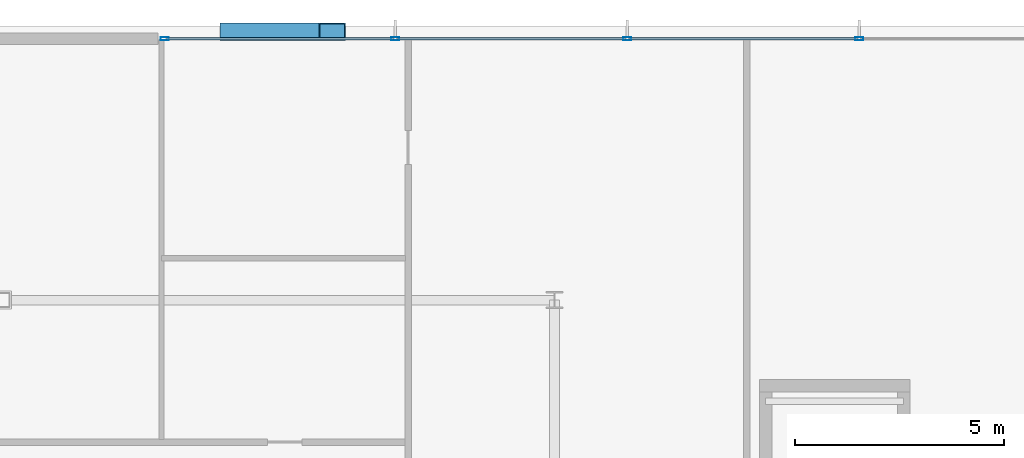
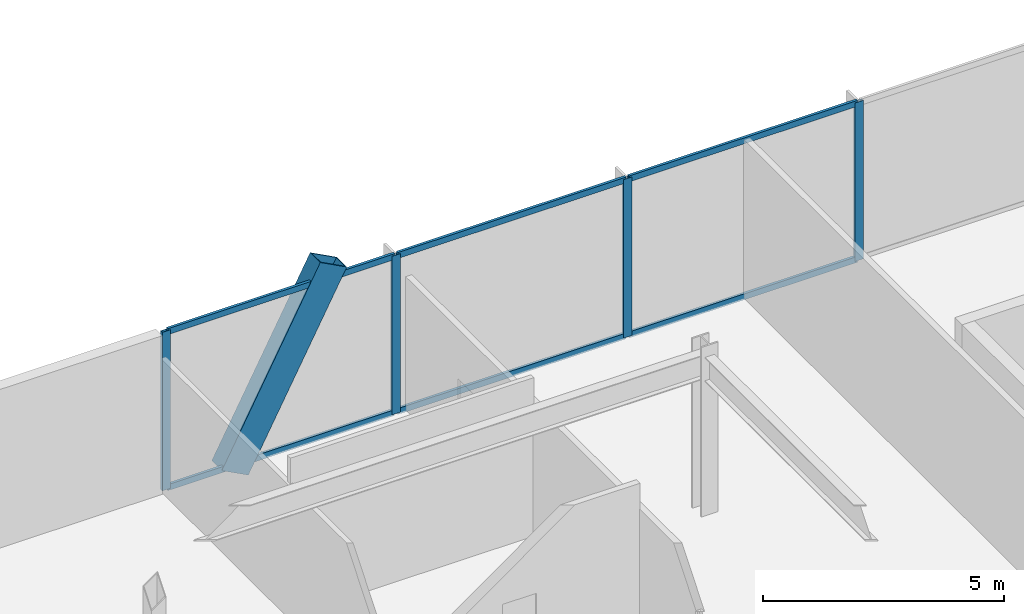
# One storey, part 30 of 42: 11 members, 1 element without a shape of its own.
"""IFC4 building model written with IfcOpenShell, lengths in metres."""

from ifc_helpers import new_model, si_unit, direction, frame, origin, origin_2d, place, context, subcontext, project, spatial, hollow_rectangle, extrude, material, layer, layer_set, material_profile, profile_set, type_object, element, aggregate, save


model = new_model("IFC4")

# Units and contexts
model_context = context("Model", 3, precision=1e-05, world=origin(), true_north=direction((0.0, 1.0)))
body_context = subcontext(model_context, "Body", "Model", "MODEL_VIEW")
ifc_project = project(units=[si_unit("LENGTHUNIT", "METRE"), si_unit("AREAUNIT", "SQUARE_METRE"), si_unit("VOLUMEUNIT", "CUBIC_METRE"), si_unit("PLANEANGLEUNIT", "RADIAN"), si_unit("MASSUNIT", "GRAM", prefix="KILO")], contexts=[model_context])

# Site, building, storey
site_placement = place(None, origin())
site = spatial("IfcSite", under=ifc_project, at=site_placement, CompositionType="ELEMENT")
building_placement = place(site_placement, origin())
building = spatial("IfcBuilding", under=site, at=building_placement, Name="Orvanel Arch Residences", CompositionType="ELEMENT")
storey_placement = place(building_placement, frame((0.0, 0.0, 9.800048828125)))
storey = spatial("IfcBuildingStorey", under=building, at=storey_placement, Name="L02", CompositionType="ELEMENT", Elevation=9.800048828125)

# Member
ifc_material_1 = material(Name="Structural steel AS/NZS 3678 Grade 350", Category="steel")
ifc_material_profile_1 = material_profile(ifc_material_1, hollow_rectangle(XDim=0.419921875, YDim=0.719970703125, WallThickness=0.02490234375, at=origin_2d()), Name="RHS720x420x25")
ifc_profile_set_1 = profile_set([ifc_material_profile_1], Name="Structural steel AS/NZS 3678 Grade 350")
member_type_1 = type_object("IfcMemberType", Name="BR-720RHS-EXT", PredefinedType="BRACE", material=ifc_profile_set_1)
member_1_placement = place(storey_placement, frame((38.52001953125, 54.419921875, -0.150146484375), z_axis=(0.468677991145, 0.0, 0.88336908516), x_axis=(0.0, 1.0, 0.0)))
element("IfcMember", 1, at=member_1_placement, inside=storey, type_object=member_type_1, Name="L02 Podium Multi-Storey V-Strut Pair N2 Leg 2", PredefinedType="BRACE", context=body_context, shape_type="SweptSolid", body=[
    extrude(hollow_rectangle(XDim=0.419921875, YDim=0.719970703125, WallThickness=0.02490234375, at=origin_2d()), origin(), (0.0, 0.0, 1.0), 5.037841796875),
])

# Curtain wall, members
ifc_material_2 = material(Name="Bronze-anodised aluminium AA6063-T6", Category="aluminium")
ifc_layer = layer(ifc_material_2, 0.199951171875)
ifc_layer_set = layer_set([ifc_layer], Name="Bronze-anodised aluminium AA6063-T6")
curtain_wall_type = type_object("IfcCurtainWallType", Name="CW1-POD-SYS", PredefinedType="NOTDEFINED", material=ifc_layer_set)
curtain_wall_placement = place(storey_placement, origin())
curtain_wall = element("IfcCurtainWall", 2, at=curtain_wall_placement, inside=storey, type_object=curtain_wall_type, Name="L02 CW1-POD-SYS Unitised Curtain Wall", PredefinedType="NOTDEFINED")
ifc_material_profile_2 = material_profile(ifc_material_2, hollow_rectangle(XDim=0.074951171875, YDim=0.199951171875, WallThickness=0.0048828125, at=origin_2d()), Name="ALU200x75x5")
ifc_profile_set_2 = profile_set([ifc_material_profile_2], Name="Bronze-anodised aluminium AA6063-T6")
member_type_2 = type_object("IfcMemberType", Name="MUL-200x75", PredefinedType="MULLION", material=ifc_profile_set_2)
member_2_placement = place(storey_placement, frame((53.489990234375, 54.25, 0.0), z_axis=(0.0, 0.0, 1.0), x_axis=(0.0, -1.0, 0.0)))
member_2 = element("IfcMember", 3, at=member_2_placement, type_object=member_type_2, Name="CW-S1 mullion 3", PredefinedType="MULLION", context=body_context, shape_type="SweptSolid", body=[
    extrude(hollow_rectangle(XDim=0.074951171875, YDim=0.199951171875, WallThickness=0.0048828125, at=origin_2d()), origin(), (0.0, 0.0, 1.0), 4.02001953125),
])
member_3_placement = place(storey_placement, frame((47.93994140625, 54.25, 0.0), z_axis=(0.0, 0.0, 1.0), x_axis=(0.0, -1.0, 0.0)))
member_3 = element("IfcMember", 4, at=member_3_placement, type_object=member_type_2, Name="CW-S1 mullion 4", PredefinedType="MULLION", context=body_context, shape_type="SweptSolid", body=[
    extrude(hollow_rectangle(XDim=0.074951171875, YDim=0.199951171875, WallThickness=0.0048828125, at=origin_2d()), origin(), (0.0, 0.0, 1.0), 4.02001953125),
])
member_4_placement = place(storey_placement, frame((42.389892578125, 54.25, 0.0), z_axis=(0.0, 0.0, 1.0), x_axis=(0.0, -1.0, 0.0)))
member_4 = element("IfcMember", 5, at=member_4_placement, type_object=member_type_2, Name="CW-S1 mullion 5", PredefinedType="MULLION", context=body_context, shape_type="SweptSolid", body=[
    extrude(hollow_rectangle(XDim=0.074951171875, YDim=0.199951171875, WallThickness=0.0048828125, at=origin_2d()), origin(), (0.0, 0.0, 1.0), 4.02001953125),
])
member_5_placement = place(storey_placement, frame((36.87744140625, 54.25, 0.0), z_axis=(0.0, 0.0, 1.0), x_axis=(0.0, -1.0, 0.0)))
member_5 = element("IfcMember", 6, at=member_5_placement, type_object=member_type_2, Name="CW-S1 mullion 6", PredefinedType="MULLION", context=body_context, shape_type="SweptSolid", body=[
    extrude(hollow_rectangle(XDim=0.074951171875, YDim=0.199951171875, WallThickness=0.0048828125, at=origin_2d()), origin(), (0.0, 0.0, 1.0), 4.02001953125),
])
ifc_material_profile_3 = material_profile(ifc_material_2, hollow_rectangle(XDim=0.06494140625, YDim=0.14990234375, WallThickness=0.00390625, at=origin_2d()), Name="ALU150x65x4")
ifc_profile_set_3 = profile_set([ifc_material_profile_3], Name="Bronze-anodised aluminium AA6063-T6")
member_type_3 = type_object("IfcMemberType", Name="TRN-150x65", PredefinedType="USERDEFINED", material=ifc_profile_set_3)
member_6_placement = place(storey_placement, frame((53.452392578125, 54.25, 0.032470703125), z_axis=(-1.0, 0.0, 0.0), x_axis=(0.0, -1.0, 0.0)))
member_6 = element("IfcMember", 7, at=member_6_placement, type_object=member_type_3, Name="CW-S1 transom 3.1", ObjectType="TRANSOM", PredefinedType="USERDEFINED", context=body_context, shape_type="SweptSolid", body=[
    extrude(hollow_rectangle(XDim=0.06494140625, YDim=0.14990234375, WallThickness=0.00390625, at=origin_2d()), origin(), (0.0, 0.0, 1.0), 5.474853515625),
])
member_7_placement = place(storey_placement, frame((53.452392578125, 54.25, 3.987548828125), z_axis=(-1.0, 0.0, 0.0), x_axis=(0.0, -1.0, 0.0)))
member_7 = element("IfcMember", 8, at=member_7_placement, type_object=member_type_3, Name="CW-S1 transom 3.2", ObjectType="TRANSOM", PredefinedType="USERDEFINED", context=body_context, shape_type="SweptSolid", body=[
    extrude(hollow_rectangle(XDim=0.06494140625, YDim=0.14990234375, WallThickness=0.00390625, at=origin_2d()), origin(), (0.0, 0.0, 1.0), 5.474853515625),
])
member_8_placement = place(storey_placement, frame((47.902587890625, 54.25, 0.032470703125), z_axis=(-1.0, 0.0, 0.0), x_axis=(0.0, -1.0, 0.0)))
member_8 = element("IfcMember", 9, at=member_8_placement, type_object=member_type_3, Name="CW-S1 transom 4.1", ObjectType="TRANSOM", PredefinedType="USERDEFINED", context=body_context, shape_type="SweptSolid", body=[
    extrude(hollow_rectangle(XDim=0.06494140625, YDim=0.14990234375, WallThickness=0.00390625, at=origin_2d()), origin(), (0.0, 0.0, 1.0), 5.47509765625),
])
member_9_placement = place(storey_placement, frame((47.902587890625, 54.25, 3.987548828125), z_axis=(-1.0, 0.0, 0.0), x_axis=(0.0, -1.0, 0.0)))
member_9 = element("IfcMember", 10, at=member_9_placement, type_object=member_type_3, Name="CW-S1 transom 4.2", ObjectType="TRANSOM", PredefinedType="USERDEFINED", context=body_context, shape_type="SweptSolid", body=[
    extrude(hollow_rectangle(XDim=0.06494140625, YDim=0.14990234375, WallThickness=0.00390625, at=origin_2d()), origin(), (0.0, 0.0, 1.0), 5.47509765625),
])
member_10_placement = place(storey_placement, frame((42.3525390625, 54.25, 0.032470703125), z_axis=(-1.0, 0.0, 0.0), x_axis=(0.0, -1.0, 0.0)))
member_10 = element("IfcMember", 11, at=member_10_placement, type_object=member_type_3, Name="CW-S1 transom 5.1", ObjectType="TRANSOM", PredefinedType="USERDEFINED", context=body_context, shape_type="SweptSolid", body=[
    extrude(hollow_rectangle(XDim=0.06494140625, YDim=0.14990234375, WallThickness=0.00390625, at=origin_2d()), origin(), (0.0, 0.0, 1.0), 5.4375),
])
member_11_placement = place(storey_placement, frame((42.3525390625, 54.25, 3.987548828125), z_axis=(-1.0, 0.0, 0.0), x_axis=(0.0, -1.0, 0.0)))
member_11 = element("IfcMember", 12, at=member_11_placement, type_object=member_type_3, Name="CW-S1 transom 5.2", ObjectType="TRANSOM", PredefinedType="USERDEFINED", context=body_context, shape_type="SweptSolid", body=[
    extrude(hollow_rectangle(XDim=0.06494140625, YDim=0.14990234375, WallThickness=0.00390625, at=origin_2d()), origin(), (0.0, 0.0, 1.0), 5.4375),
])
aggregate(curtain_wall, [member_2, member_3, member_4, member_5, member_6, member_7, member_8, member_9, member_10, member_11])

save(model, "model.ifc")
